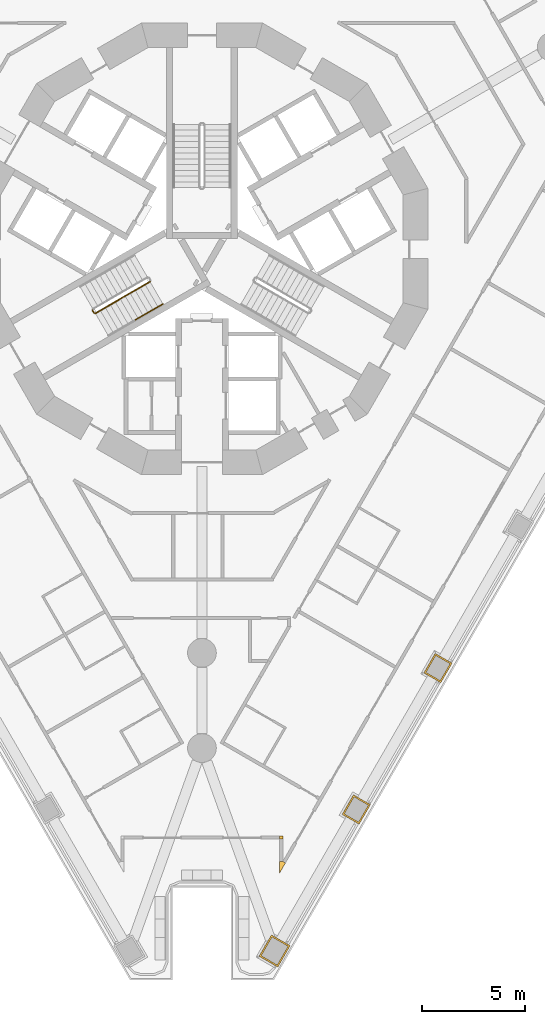
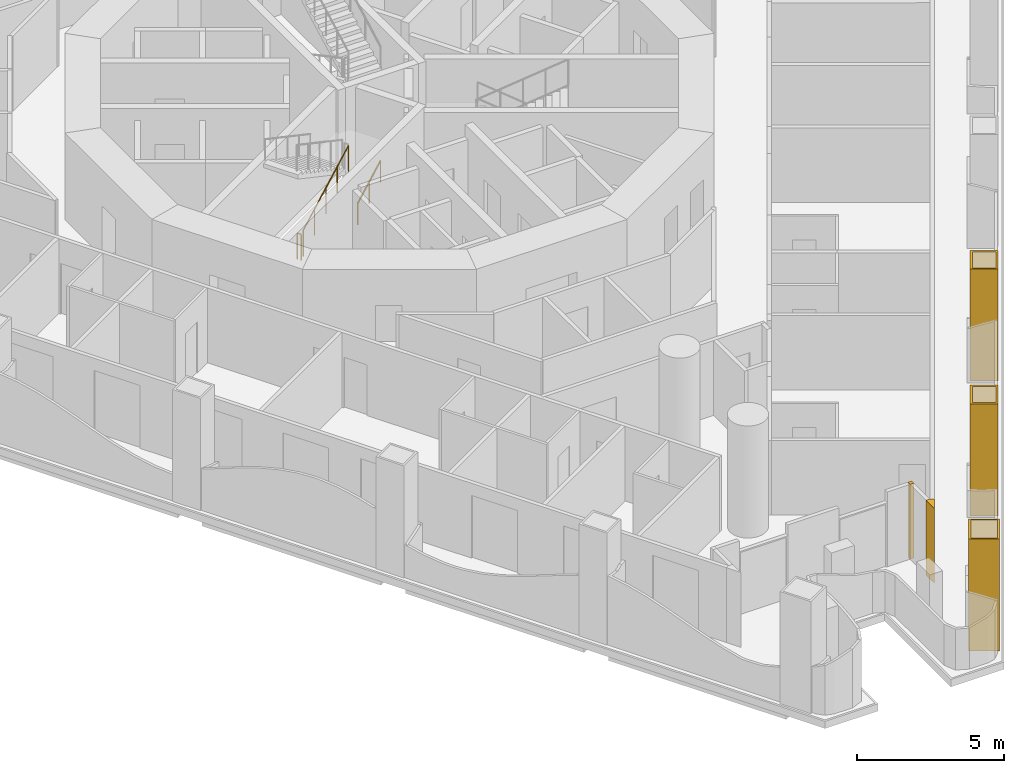
# One storey, part 13 of 19: 5 coverings, 3 railings.
"""IFC4 building model written with IfcOpenShell, lengths in metres."""

from ifc_helpers import new_model, si_unit, direction, frame, origin, origin_2d, place, context, subcontext, project, spatial, polyline, circle, outline, extrude, material, layer, layer_set, type_object, element, save


model = new_model("IFC4")

# Units and contexts
model_context = context("Model", 3, precision=1e-05, world=origin(), true_north=direction((0.0, 1.0)))
body_context = subcontext(model_context, "Body", "Model", "MODEL_VIEW")
ifc_project = project(units=[si_unit("LENGTHUNIT", "METRE"), si_unit("AREAUNIT", "SQUARE_METRE"), si_unit("VOLUMEUNIT", "CUBIC_METRE"), si_unit("PLANEANGLEUNIT", "RADIAN"), si_unit("MASSUNIT", "GRAM", prefix="KILO")], contexts=[model_context])

# Site, building, storey
site_placement = place(None, origin())
site = spatial("IfcSite", under=ifc_project, at=site_placement, CompositionType="ELEMENT")
building_placement = place(site_placement, origin())
building = spatial("IfcBuilding", under=site, at=building_placement, Name="Trine Commons Tower", CompositionType="ELEMENT")
storey_placement = place(building_placement, frame((0.0, 0.0, 42.300048828125)))
storey = spatial("IfcBuildingStorey", under=building, at=storey_placement, Name="L09", CompositionType="ELEMENT", Elevation=42.300048828125)

# Coverings
ifc_material_1 = material(Name="Aluminium-framed insulated wall panel", Category="aluminium")
ifc_layer_1 = layer(ifc_material_1, 0.14990234375)
ifc_layer_set_1 = layer_set([ifc_layer_1], Name="Aluminium-framed insulated wall panel")
covering_type_1 = type_object("IfcCoveringType", Name="Glazing corner post, aluminium", PredefinedType="CLADDING", material=ifc_layer_set_1)
covering_1_placement = place(storey_placement, origin())
element("IfcCovering", 1, at=covering_1_placement, inside=storey, type_object=covering_type_1, Name="Glazing corner post 1-09", PredefinedType="CLADDING", context=body_context, shape_type="SweptSolid", body=[
    extrude(outline(polyline([(83.7900390625, 32.635009765625), (83.7900390625, 32.0751953125), (84.06982421875, 32.56005859375), (83.93994140625, 32.635009765625), (83.93994140625, 32.635009765625), (83.7900390625, 32.635009765625)])), origin(), (0.0, 0.0, 1.0), 3.099853515625),
])
covering_2_placement = place(storey_placement, origin())
element("IfcCovering", 2, at=covering_2_placement, inside=storey, type_object=covering_type_1, Name="Glazing corner post 1-10", PredefinedType="CLADDING", context=body_context, shape_type="SweptSolid", body=[
    extrude(outline(polyline([(83.93994140625, 33.720703125), (83.93994140625, 33.870849609375), (83.7900390625, 33.870849609375), (83.7900390625, 33.720703125), (83.93994140625, 33.720703125)])), origin(), (0.0, 0.0, 1.0), 3.099853515625),
])
ifc_material_2 = material(Name="Limestone, honed", Category="masonry")
ifc_layer_2 = layer(ifc_material_2, 0.074951171875)
ifc_layer_set_2 = layer_set([ifc_layer_2], Name="Limestone, honed")
covering_type_2 = type_object("IfcCoveringType", Name="Limestone column cladding 75", PredefinedType="CLADDING", material=ifc_layer_set_2)
covering_3_placement = place(storey_placement, origin())
element("IfcCovering", 3, at=covering_3_placement, inside=storey, type_object=covering_type_2, Name="Limestone pier cladding 1-22", PredefinedType="CLADDING", context=body_context, shape_type="SweptSolid", body=[
    extrude(outline(polyline([(92.1943359375, 42.3017578125), (91.37158203125, 42.77685546875), (90.821533203125, 41.82421875), (91.644287109375, 41.34912109375), (92.1943359375, 42.3017578125)]), holes=[polyline([(92.091796875, 42.2744140625), (91.39892578125, 42.67431640625), (90.924072265625, 41.8515625), (91.61669921875, 41.45166015625), (92.091796875, 42.2744140625)])]), origin(), (0.0, 0.0, 1.0), 4.641357421875),
])
covering_4_placement = place(storey_placement, origin())
element("IfcCovering", 4, at=covering_4_placement, inside=storey, type_object=covering_type_2, Name="Limestone pier cladding 1-23", PredefinedType="CLADDING", context=body_context, shape_type="SweptSolid", body=[
    extrude(outline(polyline([(88.212646484375, 35.4052734375), (87.389892578125, 35.88037109375), (86.83984375, 34.927734375), (87.66259765625, 34.45263671875), (88.212646484375, 35.4052734375)]), holes=[polyline([(88.110107421875, 35.3779296875), (87.417236328125, 35.77783203125), (86.9423828125, 34.955078125), (87.635009765625, 34.55517578125), (88.110107421875, 35.3779296875)])]), origin(), (0.0, 0.0, 1.0), 4.641357421875),
])
covering_5_placement = place(storey_placement, origin())
element("IfcCovering", 5, at=covering_5_placement, inside=storey, type_object=covering_type_2, Name="Limestone pier cladding 1-24", PredefinedType="CLADDING", context=body_context, shape_type="SweptSolid", body=[
    extrude(outline(polyline([(84.29931640625, 28.527099609375), (83.389892578125, 29.052001953125), (82.789794921875, 28.012939453125), (83.69921875, 27.48779296875), (84.29931640625, 28.527099609375)]), holes=[polyline([(84.19677734375, 28.499755859375), (83.417236328125, 28.94970703125), (82.892333984375, 28.040283203125), (83.671630859375, 27.59033203125), (84.19677734375, 28.499755859375)])]), origin(), (0.0, 0.0, 1.0), 4.641357421875),
])

# Railings
ifc_material_3 = material(Name="Stainless steel balustrade", Category="steel")
railing_type_1 = type_object("IfcRailingType", Name="Stair guard, steel balustrade 1100", PredefinedType="GUARDRAIL", material=ifc_material_3)
railing_1_placement = place(storey_placement, frame((74.80517578125, 59.3564453125, 0.14990234375)))
element("IfcRailing", 6, at=railing_1_placement, inside=storey, type_object=railing_type_1, Name="L09 ST2A stair guard 1", PredefinedType="GUARDRAIL", context=body_context, shape_type="SweptSolid", body=[
    extrude(circle(Radius=0.02392578125, at=origin_2d()), frame((0.0, 0.0, 1.076171875), z_axis=(0.763379768245, 0.440728498818, 0.472239049384), x_axis=(-0.499992328818, 0.866029832698, 0.0)), (0.0, 0.0, 1.0), 3.494384765625),
    extrude(circle(Radius=0.02099609375, at=origin_2d()), origin(), (0.0, 0.0, 1.0), 1.052001953125),
    extrude(circle(Radius=0.02099609375, at=origin_2d()), frame((0.6669921875, 0.385009765625, 0.41259765625)), (0.0, 0.0, 1.0), 1.052001953125),
    extrude(circle(Radius=0.02099609375, at=origin_2d()), frame((1.333740234375, 0.77001953125, 0.8251953125)), (0.0, 0.0, 1.0), 1.052001953125),
    extrude(circle(Radius=0.02099609375, at=origin_2d()), frame((2.00048828125, 1.155029296875, 1.237548828125)), (0.0, 0.0, 1.0), 1.052001953125),
    extrude(circle(Radius=0.02099609375, at=origin_2d()), frame((2.66748046875, 1.5400390625, 1.650146484375)), (0.0, 0.0, 1.0), 1.052001953125),
])
railing_2_placement = place(storey_placement, frame((74.73681640625, 59.374755859375, 0.0)))
element("IfcRailing", 7, at=railing_2_placement, inside=storey, type_object=railing_type_1, Name="L09 ST2A stair guard 4", PredefinedType="GUARDRAIL", context=body_context, shape_type="SweptSolid", body=[
    extrude(circle(Radius=0.02392578125, at=origin_2d()), frame((0.0, 0.0, 1.076171875), z_axis=(-0.499816412211, 0.866131372301, 0.0), x_axis=(-0.866131372301, -0.499816412211, 0.0)), (0.0, 0.0, 1.0), 0.14990234375),
    extrude(circle(Radius=0.02099609375, at=origin_2d()), origin(), (0.0, 0.0, 1.0), 1.052001953125),
    extrude(circle(Radius=0.02099609375, at=origin_2d()), frame((-0.074951171875, 0.1298828125, 0.0)), (0.0, 0.0, 1.0), 1.052001953125),
])
ifc_material_4 = material(Name="Stainless steel handrail", Category="steel")
railing_type_2 = type_object("IfcRailingType", Name="Stair handrail, steel 900", PredefinedType="HANDRAIL", material=ifc_material_4)
railing_3_placement = place(storey_placement, frame((76.763916015625, 59.0439453125, 0.974853515625)))
element("IfcRailing", 8, at=railing_3_placement, inside=storey, type_object=railing_type_2, Name="L09 ST2A stair handrail 2", PredefinedType="HANDRAIL", context=body_context, shape_type="SweptSolid", body=[
    extrude(circle(Radius=0.02099609375, at=origin_2d()), frame((0.0, 0.0, 0.87890625), z_axis=(0.763354580307, 0.440713956853, 0.472293333596), x_axis=(-0.499992328818, 0.866029832698, 0.0)), (0.0, 0.0, 1.0), 1.747314453125),
    extrude(circle(Radius=0.01513671875, at=origin_2d()), origin(), (0.0, 0.0, 1.0), 0.85791015625),
    extrude(circle(Radius=0.01513671875, at=origin_2d()), frame((0.6669921875, 0.385009765625, 0.41259765625)), (0.0, 0.0, 1.0), 0.85791015625),
    extrude(circle(Radius=0.01513671875, at=origin_2d()), frame((1.333740234375, 0.77001953125, 0.8251953125)), (0.0, 0.0, 1.0), 0.85791015625),
])

save(model, "model.ifc")
